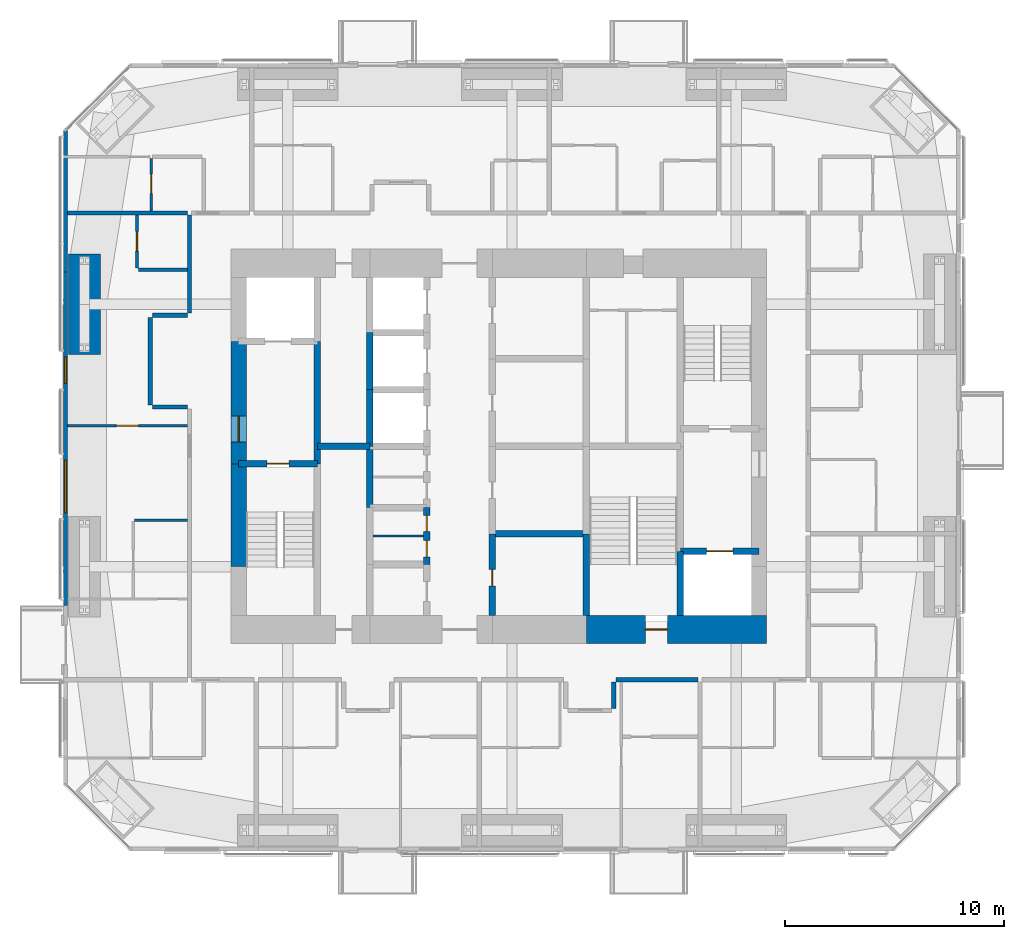
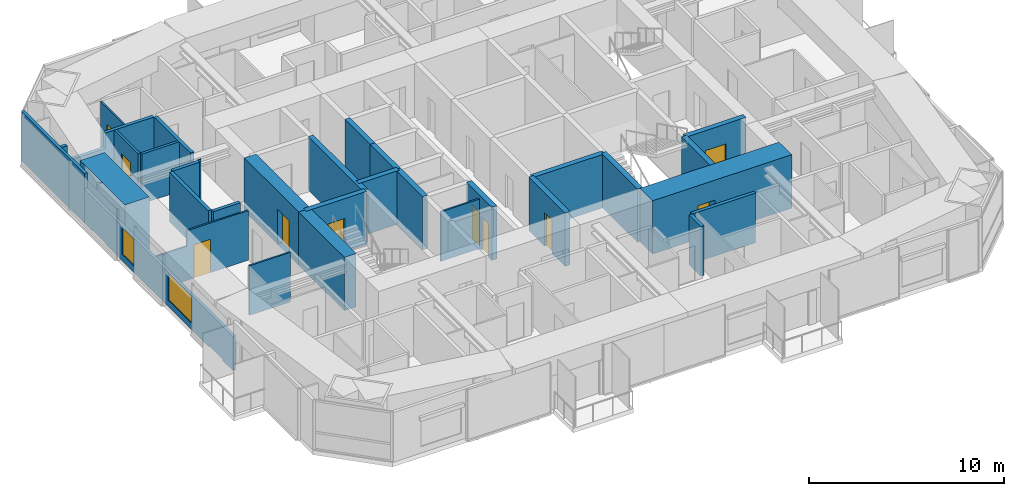
# One storey, part 17 of 22: 31 walls, 10 doors, 2 windows, 12 openings.
"""IFC4 building model written with IfcOpenShell, lengths in metres."""

from ifc_helpers import new_model, si_unit, direction, frame, frame_2d, origin, place, context, subcontext, project, spatial, polyline, rectangle, outline, extrude, material, layer, layer_set, constituent, constituent_set, type_object, element, fill, save


model = new_model("IFC4")

# Units and contexts
model_context = context("Model", 3, precision=1e-05, world=origin(), true_north=direction((0.0, 1.0)))
body_context = subcontext(model_context, "Body", "Model", "MODEL_VIEW")
ifc_project = project(units=[si_unit("LENGTHUNIT", "METRE"), si_unit("AREAUNIT", "SQUARE_METRE"), si_unit("VOLUMEUNIT", "CUBIC_METRE"), si_unit("PLANEANGLEUNIT", "RADIAN"), si_unit("MASSUNIT", "GRAM", prefix="KILO")], contexts=[model_context])

# Site, building, storey
site_placement = place(None, origin())
site = spatial("IfcSite", under=ifc_project, at=site_placement, CompositionType="ELEMENT")
building_placement = place(site_placement, origin())
building = spatial("IfcBuilding", under=site, at=building_placement, Name="Jalousie Tower", CompositionType="ELEMENT")
storey_placement = place(building_placement, frame((0.0, 0.0, 154.35009765625)))
storey = spatial("IfcBuildingStorey", under=building, at=storey_placement, Name="L41", CompositionType="ELEMENT", Elevation=154.35009765625)

# Wall, opening, door
ifc_material_1 = material(Name="Concrete block ASTM C90", Category="concrete")
ifc_constituent_1 = constituent(ifc_material_1, Name="Body")
ifc_material_2 = material(Name="Render")
ifc_constituent_2 = constituent(ifc_material_2, Name="Finish")
ifc_constituent_set_1 = constituent_set(constituents=[ifc_constituent_1, ifc_constituent_2])
wall_type_1 = type_object("IfcWallType", Name="BATHROOM WALL 150", PredefinedType="PLUMBINGWALL", material=ifc_constituent_set_1)
wall_1_placement = place(storey_placement, frame((15.35009765625, 26.64990234375, 0.0), z_axis=(0.0, 0.0, 1.0), x_axis=(0.0, 1.0, 0.0)))
wall_1 = element("IfcWall", 1, at=wall_1_placement, inside=storey, type_object=wall_type_1, Name="Bathroom Wall 150 L41", PredefinedType="PLUMBINGWALL", context=body_context, shape_type="SweptSolid", body=[
    extrude(rectangle(XDim=2.425048828125, YDim=0.14990234375, at=frame_2d((1.21240234375, 0.0))), origin(), (0.0, 0.0, 1.0), 3.10986328125),
])
opening_1_placement = place(wall_1_placement, frame((0.77490234375, 0.0, 0.0)))
opening_1 = element("IfcOpeningElement", 2, at=opening_1_placement, cuts=wall_1, Name="Opening D3", PredefinedType="OPENING", context=body_context, shape_type="SweptSolid", body=[
    extrude(rectangle(XDim=0.89990234375, YDim=2.10009765625, at=frame_2d((0.449951171875, 1.050048828125))), frame((0.0, 0.0849609375, 0.0), z_axis=(0.0, -1.0, 0.0), x_axis=(1.0, 0.0, 0.0)), (0.0, 0.0, 1.0), 0.169921875),
])
ifc_material_3 = material(Name="Timber door", Category="wood")
door_type_1 = type_object("IfcDoorType", Name="BATHROOM DOOR 900", OperationType="SINGLE_SWING_LEFT", PredefinedType="DOOR", material=ifc_material_3)
door_1_placement = place(opening_1_placement, frame((0.89990234375, 0.0, 0.0), z_axis=(0.0, 0.0, 1.0), x_axis=(-1.0, 0.0, 0.0)))
door_1 = element("IfcDoor", 3, at=door_1_placement, inside=storey, type_object=door_type_1, Name="Apartment 4109 bathroom door", OperationType="SINGLE_SWING_LEFT", OverallHeight=2.10009765625, OverallWidth=0.89990234375, PredefinedType="DOOR", context=body_context, shape_type="SweptSolid", body=[
    extrude(rectangle(XDim=0.89990234375, YDim=2.10009765625, at=frame_2d((0.449951171875, 1.050048828125))), frame((0.0, 0.02490234375, 0.0), z_axis=(0.0, -1.0, 0.0), x_axis=(1.0, 0.0, 0.0)), (0.0, 0.0, 1.0), 0.050048828125),
])
fill(opening_1, door_1)

# Wall
wall_2_placement = place(storey_placement, frame((15.425048828125, 26.574951171875, 0.0), z_axis=(0.0, 0.0, 1.0), x_axis=(1.0, 0.0, 0.0)))
element("IfcWall", 4, at=wall_2_placement, inside=storey, type_object=wall_type_1, Name="Bathroom Wall 150 L41", PredefinedType="PLUMBINGWALL", context=body_context, shape_type="SweptSolid", body=[
    extrude(rectangle(XDim=2.224853515625, YDim=0.14990234375, at=frame_2d((1.1123046875, 0.0))), origin(), (0.0, 0.0, 1.0), 3.10986328125),
])

# Wall, opening, door
ifc_material_4 = material(Name="Concrete f'c 120 MPa", Category="concrete")
ifc_layer_1 = layer(ifc_material_4, 1.300048828125)
ifc_layer_set_1 = layer_set([ifc_layer_1], Name="Concrete f'c 120 MPa")
wall_type_2 = type_object("IfcWallType", Name="CORE WALL 1300", PredefinedType="SHEAR", material=ifc_layer_set_1)
wall_3_placement = place(storey_placement, frame((35.89990234375, 10.125, 0.0), z_axis=(0.0, 0.0, 1.0), x_axis=(1.0, 0.0, 0.0)))
wall_3 = element("IfcWall", 5, at=wall_3_placement, inside=storey, type_object=wall_type_2, Name="Core wall SD L41", PredefinedType="SHEAR", context=body_context, shape_type="SweptSolid", body=[
    extrude(rectangle(XDim=8.25, YDim=1.300048828125, at=frame_2d((4.125, 0.0))), origin(), (0.0, 0.0, 1.0), 3.349853515625),
])
opening_2_placement = place(wall_3_placement, frame((2.699951171875, 0.0, 0.0)))
opening_2 = element("IfcOpeningElement", 6, at=opening_2_placement, cuts=wall_3, Name="Opening D10", PredefinedType="OPENING", context=body_context, shape_type="SweptSolid", body=[
    extrude(rectangle(XDim=1.0, YDim=2.10009765625, at=frame_2d((0.5, 1.050048828125))), frame((0.0, 0.659912109375, 0.0), z_axis=(0.0, -1.0, 0.0), x_axis=(1.0, 0.0, 0.0)), (0.0, 0.0, 1.0), 1.320068359375),
])
ifc_material_5 = material(Name="Steel fire door", Category="steel")
door_type_2 = type_object("IfcDoorType", Name="STAIR DOOR 1000", OperationType="SINGLE_SWING_LEFT", PredefinedType="DOOR", material=ifc_material_5)
door_2_placement = place(opening_2_placement, origin())
door_2 = element("IfcDoor", 7, at=door_2_placement, inside=storey, type_object=door_type_2, Name="Exit stair C door", OperationType="SINGLE_SWING_RIGHT", OverallHeight=2.10009765625, OverallWidth=1.0, PredefinedType="DOOR", context=body_context, shape_type="SweptSolid", body=[
    extrude(rectangle(XDim=1.0, YDim=2.10009765625, at=frame_2d((0.5, 1.050048828125))), frame((0.0, 0.02490234375, 0.0), z_axis=(0.0, -1.0, 0.0), x_axis=(1.0, 0.0, 0.0)), (0.0, 0.0, 1.0), 0.050048828125),
])
fill(opening_2, door_2)

# Walls
ifc_material_6 = material(Name="Concrete f'c 120 MPa", Category="concrete")
ifc_layer_2 = layer(ifc_material_6, 0.300048828125)
ifc_layer_set_2 = layer_set([ifc_layer_2], Name="Concrete f'c 120 MPa")
wall_type_3 = type_object("IfcWallType", Name="CORE WALL 300", PredefinedType="SHEAR", material=ifc_layer_set_2)
wall_4_placement = place(storey_placement, frame((23.60009765625, 17.699951171875, 0.0), z_axis=(0.0, 0.0, 1.0), x_axis=(0.0, 1.0, 0.0)))
element("IfcWall", 8, at=wall_4_placement, inside=storey, type_object=wall_type_3, Name="Core wall X23.6B L41", PredefinedType="SHEAR", context=body_context, shape_type="SweptSolid", body=[
    extrude(rectangle(XDim=5.60009765625, YDim=0.300048828125, at=frame_2d((2.800048828125, 0.0))), origin(), (0.0, 0.0, 1.0), 3.349853515625),
])
wall_5_placement = place(storey_placement, frame((26.0, 15.699951171875, 0.0), z_axis=(0.0, 0.0, 1.0), x_axis=(0.0, 1.0, 0.0)))
element("IfcWall", 9, at=wall_5_placement, inside=storey, type_object=wall_type_3, Name="Core wall X26C L41", PredefinedType="SHEAR", context=body_context, shape_type="SweptSolid", body=[
    extrude(rectangle(XDim=2.800048828125, YDim=0.300048828125, at=frame_2d((1.39990234375, 0.0))), origin(), (0.0, 0.0, 1.0), 3.349853515625),
])
wall_6_placement = place(storey_placement, frame((26.0, 18.5, 0.0), z_axis=(0.0, 0.0, 1.0), x_axis=(0.0, 1.0, 0.0)))
element("IfcWall", 10, at=wall_6_placement, inside=storey, type_object=wall_type_3, Name="Core wall X26D L41", PredefinedType="SHEAR", context=body_context, shape_type="SweptSolid", body=[
    extrude(rectangle(XDim=2.60009765625, YDim=0.300048828125, at=frame_2d((1.300048828125, 0.0))), origin(), (0.0, 0.0, 1.0), 3.349853515625),
])
wall_7_placement = place(storey_placement, frame((26.0, 21.10009765625, 0.0), z_axis=(0.0, 0.0, 1.0), x_axis=(0.0, 1.0, 0.0)))
element("IfcWall", 11, at=wall_7_placement, inside=storey, type_object=wall_type_3, Name="Core wall X26E L41", PredefinedType="SHEAR", context=body_context, shape_type="SweptSolid", body=[
    extrude(rectangle(XDim=2.599853515625, YDim=0.300048828125, at=frame_2d((1.2998046875, 0.0))), origin(), (0.0, 0.0, 1.0), 3.349853515625),
])

# Wall, openings, doors
wall_8_placement = place(storey_placement, frame((28.60009765625, 13.10009765625, 0.0), z_axis=(0.0, 0.0, 1.0), x_axis=(0.0, 1.0, 0.0)))
wall_8 = element("IfcWall", 12, at=wall_8_placement, inside=storey, type_object=wall_type_3, Name="Core wall X28.6B L41", PredefinedType="SHEAR", context=body_context, shape_type="SweptSolid", body=[
    extrude(rectangle(XDim=2.599853515625, YDim=0.300048828125, at=frame_2d((1.2998046875, 0.0))), origin(), (0.0, 0.0, 1.0), 3.349853515625),
])
opening_3_placement = place(wall_8_placement, frame((0.35009765625, 0.0, 0.0)))
opening_3 = element("IfcOpeningElement", 13, at=opening_3_placement, cuts=wall_8, Name="Opening D27", PredefinedType="OPENING", context=body_context, shape_type="SweptSolid", body=[
    extrude(rectangle(XDim=0.75, YDim=2.10009765625, at=frame_2d((0.375, 1.050048828125))), frame((0.0, 0.159912109375, 0.0), z_axis=(0.0, -1.0, 0.0), x_axis=(1.0, 0.0, 0.0)), (0.0, 0.0, 1.0), 0.320068359375),
])
opening_4_placement = place(wall_8_placement, frame((1.5, 0.0, 0.0)))
opening_4 = element("IfcOpeningElement", 14, at=opening_4_placement, cuts=wall_8, Name="Opening D27", PredefinedType="OPENING", context=body_context, shape_type="SweptSolid", body=[
    extrude(rectangle(XDim=0.75, YDim=2.10009765625, at=frame_2d((0.375, 1.050048828125))), frame((0.0, 0.159912109375, 0.0), z_axis=(0.0, -1.0, 0.0), x_axis=(1.0, 0.0, 0.0)), (0.0, 0.0, 1.0), 0.320068359375),
])
ifc_material_7 = material(Name="Steel fire door", Category="steel")
door_type_3 = type_object("IfcDoorType", Name="CORE ROOM DOOR 750", OperationType="SINGLE_SWING_LEFT", PredefinedType="DOOR", material=ifc_material_7)
door_3_placement = place(opening_3_placement, origin())
door_3 = element("IfcDoor", 15, at=door_3_placement, inside=storey, type_object=door_type_3, Name="IT room door", OperationType="SINGLE_SWING_RIGHT", OverallHeight=2.10009765625, OverallWidth=0.75, PredefinedType="DOOR", context=body_context, shape_type="SweptSolid", body=[
    extrude(rectangle(XDim=0.75, YDim=2.10009765625, at=frame_2d((0.375, 1.050048828125))), frame((0.0, 0.02490234375, 0.0), z_axis=(0.0, -1.0, 0.0), x_axis=(1.0, 0.0, 0.0)), (0.0, 0.0, 1.0), 0.050048828125),
])
fill(opening_3, door_3)
door_4_placement = place(opening_4_placement, origin())
door_4 = element("IfcDoor", 16, at=door_4_placement, inside=storey, type_object=door_type_3, Name="Store door", OperationType="SINGLE_SWING_LEFT", OverallHeight=2.10009765625, OverallWidth=0.75, PredefinedType="DOOR", context=body_context, shape_type="SweptSolid", body=[
    extrude(rectangle(XDim=0.75, YDim=2.10009765625, at=frame_2d((0.375, 1.050048828125))), frame((0.0, 0.02490234375, 0.0), z_axis=(0.0, -1.0, 0.0), x_axis=(1.0, 0.0, 0.0)), (0.0, 0.0, 1.0), 0.050048828125),
])
fill(opening_4, door_4)

# Wall, opening, door
wall_9_placement = place(storey_placement, frame((31.60009765625, 10.77490234375, 0.0), z_axis=(0.0, 0.0, 1.0), x_axis=(0.0, 1.0, 0.0)))
wall_9 = element("IfcWall", 17, at=wall_9_placement, inside=storey, type_object=wall_type_3, Name="Core wall X31.6A L41", PredefinedType="SHEAR", context=body_context, shape_type="SweptSolid", body=[
    extrude(rectangle(XDim=3.72509765625, YDim=0.300048828125, at=frame_2d((1.862548828125, 0.0))), origin(), (0.0, 0.0, 1.0), 3.349853515625),
])
opening_5_placement = place(wall_9_placement, frame((1.35009765625, 0.0, 0.0)))
opening_5 = element("IfcOpeningElement", 18, at=opening_5_placement, cuts=wall_9, Name="Opening D16", PredefinedType="OPENING", context=body_context, shape_type="SweptSolid", body=[
    extrude(rectangle(XDim=0.75, YDim=2.10009765625, at=frame_2d((0.375, 1.050048828125))), frame((0.0, 0.159912109375, 0.0), z_axis=(0.0, -1.0, 0.0), x_axis=(1.0, 0.0, 0.0)), (0.0, 0.0, 1.0), 0.320068359375),
])
ifc_material_8 = material(Name="Steel fire door", Category="steel")
door_type_4 = type_object("IfcDoorType", Name="RISER DOOR 750", OperationType="SINGLE_SWING_LEFT", PredefinedType="DOOR", material=ifc_material_8)
door_5_placement = place(opening_5_placement, frame((0.75, 0.0, 0.0), z_axis=(0.0, 0.0, 1.0), x_axis=(-1.0, 0.0, 0.0)))
door_5 = element("IfcDoor", 19, at=door_5_placement, inside=storey, type_object=door_type_4, Name="Refuse Room door", OperationType="SINGLE_SWING_RIGHT", OverallHeight=2.10009765625, OverallWidth=0.75, PredefinedType="DOOR", context=body_context, shape_type="SweptSolid", body=[
    extrude(rectangle(XDim=0.75, YDim=2.10009765625, at=frame_2d((0.375, 1.050048828125))), frame((0.0, 0.02490234375, 0.0), z_axis=(0.0, -1.0, 0.0), x_axis=(1.0, 0.0, 0.0)), (0.0, 0.0, 1.0), 0.050048828125),
])
fill(opening_5, door_5)

# Walls
wall_10_placement = place(storey_placement, frame((35.89990234375, 10.77490234375, 0.0), z_axis=(0.0, 0.0, 1.0), x_axis=(0.0, 1.0, 0.0)))
element("IfcWall", 20, at=wall_10_placement, inside=storey, type_object=wall_type_3, Name="Core wall X35.9A L41", PredefinedType="SHEAR", context=body_context, shape_type="SweptSolid", body=[
    extrude(rectangle(XDim=3.72509765625, YDim=0.300048828125, at=frame_2d((1.862548828125, 0.0))), origin(), (0.0, 0.0, 1.0), 3.349853515625),
])
wall_11_placement = place(storey_placement, frame((40.199951171875, 10.77490234375, 0.0), z_axis=(0.0, 0.0, 1.0), x_axis=(0.0, 1.0, 0.0)))
element("IfcWall", 21, at=wall_11_placement, inside=storey, type_object=wall_type_3, Name="Core wall X40.2A L41", PredefinedType="SHEAR", context=body_context, shape_type="SweptSolid", body=[
    extrude(rectangle(XDim=2.925048828125, YDim=0.300048828125, at=frame_2d((1.46240234375, 0.0))), origin(), (0.0, 0.0, 1.0), 3.349853515625),
])

# Wall, opening, door
wall_12_placement = place(storey_placement, frame((20.0, 17.699951171875, 0.0), z_axis=(0.0, 0.0, 1.0), x_axis=(1.0, 0.0, 0.0)))
wall_12 = element("IfcWall", 22, at=wall_12_placement, inside=storey, type_object=wall_type_3, Name="Core wall Y20-17.7 L41", PredefinedType="SHEAR", context=body_context, shape_type="SweptSolid", body=[
    extrude(rectangle(XDim=3.60009765625, YDim=0.300048828125, at=frame_2d((1.800048828125, 0.0))), origin(), (0.0, 0.0, 1.0), 3.349853515625),
])
opening_6_placement = place(wall_12_placement, frame((1.300048828125, 0.0, 0.0)))
opening_6 = element("IfcOpeningElement", 23, at=opening_6_placement, cuts=wall_12, Name="Opening D10", PredefinedType="OPENING", context=body_context, shape_type="SweptSolid", body=[
    extrude(rectangle(XDim=1.0, YDim=2.10009765625, at=frame_2d((0.5, 1.050048828125))), frame((0.0, 0.159912109375, 0.0), z_axis=(0.0, -1.0, 0.0), x_axis=(1.0, 0.0, 0.0)), (0.0, 0.0, 1.0), 0.320068359375),
])
door_6_placement = place(opening_6_placement, frame((1.0, 0.0, 0.0), z_axis=(0.0, 0.0, 1.0), x_axis=(-1.0, 0.0, 0.0)))
door_6 = element("IfcDoor", 24, at=door_6_placement, inside=storey, type_object=door_type_2, Name="Exit stair A door", OperationType="SINGLE_SWING_RIGHT", OverallHeight=2.10009765625, OverallWidth=1.0, PredefinedType="DOOR", context=body_context, shape_type="SweptSolid", body=[
    extrude(rectangle(XDim=1.0, YDim=2.10009765625, at=frame_2d((0.5, 1.050048828125))), frame((0.0, 0.02490234375, 0.0), z_axis=(0.0, -1.0, 0.0), x_axis=(1.0, 0.0, 0.0)), (0.0, 0.0, 1.0), 0.050048828125),
])
fill(opening_6, door_6)

# Walls
wall_13_placement = place(storey_placement, frame((23.60009765625, 18.5, 0.0), z_axis=(0.0, 0.0, 1.0), x_axis=(1.0, 0.0, 0.0)))
element("IfcWall", 25, at=wall_13_placement, inside=storey, type_object=wall_type_3, Name="Core wall Y23.6-18.5 L41", PredefinedType="SHEAR", context=body_context, shape_type="SweptSolid", body=[
    extrude(rectangle(XDim=2.39990234375, YDim=0.300048828125, at=frame_2d((1.199951171875, 0.0))), origin(), (0.0, 0.0, 1.0), 3.349853515625),
])
wall_14_placement = place(storey_placement, frame((31.60009765625, 14.5, 0.0), z_axis=(0.0, 0.0, 1.0), x_axis=(1.0, 0.0, 0.0)))
element("IfcWall", 26, at=wall_14_placement, inside=storey, type_object=wall_type_3, Name="Core wall Y31.6-14.5 L41", PredefinedType="SHEAR", context=body_context, shape_type="SweptSolid", body=[
    extrude(rectangle(XDim=4.2998046875, YDim=0.300048828125, at=frame_2d((2.14990234375, 0.0))), origin(), (0.0, 0.0, 1.0), 3.349853515625),
])

# Wall, opening, door
wall_15_placement = place(storey_placement, frame((40.199951171875, 13.699951171875, 0.0), z_axis=(0.0, 0.0, 1.0), x_axis=(1.0, 0.0, 0.0)))
wall_15 = element("IfcWall", 27, at=wall_15_placement, inside=storey, type_object=wall_type_3, Name="Core wall Y40.2-13.7 L41", PredefinedType="SHEAR", context=body_context, shape_type="SweptSolid", body=[
    extrude(rectangle(XDim=3.60009765625, YDim=0.300048828125, at=frame_2d((1.800048828125, 0.0))), origin(), (0.0, 0.0, 1.0), 3.349853515625),
])
opening_7_placement = place(wall_15_placement, frame((1.199951171875, 0.0, 0.0)))
opening_7 = element("IfcOpeningElement", 28, at=opening_7_placement, cuts=wall_15, Name="Opening LD2", PredefinedType="OPENING", context=body_context, shape_type="SweptSolid", body=[
    extrude(rectangle(XDim=1.199951171875, YDim=2.10009765625, at=frame_2d((0.60009765625, 1.050048828125))), frame((0.0, 0.159912109375, 0.0), z_axis=(0.0, -1.0, 0.0), x_axis=(1.0, 0.0, 0.0)), (0.0, 0.0, 1.0), 0.320068359375),
])
ifc_material_9 = material(Name="Steel lift landing door", Category="steel")
door_type_5 = type_object("IfcDoorType", Name="LIFT LANDING DOOR 1200", OperationType="SLIDING_TO_LEFT", PredefinedType="DOOR", material=ifc_material_9)
door_7_placement = place(opening_7_placement, origin())
door_7 = element("IfcDoor", 29, at=door_7_placement, inside=storey, type_object=door_type_5, Name="Lift F2 landing door", OperationType="SLIDING_TO_LEFT", OverallHeight=2.10009765625, OverallWidth=1.199951171875, PredefinedType="DOOR", context=body_context, shape_type="SweptSolid", body=[
    extrude(rectangle(XDim=1.199951171875, YDim=2.10009765625, at=frame_2d((0.60009765625, 1.050048828125))), frame((0.0, 0.02490234375, 0.0), z_axis=(0.0, -1.0, 0.0), x_axis=(1.0, 0.0, 0.0)), (0.0, 0.0, 1.0), 0.050048828125),
])
fill(opening_7, door_7)

ifc_material_10 = material(Name="Concrete f'c 120 MPa", Category="concrete")
ifc_layer_3 = layer(ifc_material_10, 0.699951171875)
ifc_layer_set_3 = layer_set([ifc_layer_3], Name="Concrete f'c 120 MPa")
wall_type_4 = type_object("IfcWallType", Name="CORE WALL 700", PredefinedType="SHEAR", material=ifc_layer_set_3)
wall_16_placement = place(storey_placement, frame((20.0, 23.300048828125, 0.0), z_axis=(0.0, 0.0, 1.0), x_axis=(0.0, -1.0, 0.0)))
wall_16 = element("IfcWall", 30, at=wall_16_placement, inside=storey, type_object=wall_type_4, Name="Core wall WB L41", PredefinedType="SHEAR", context=body_context, shape_type="SweptSolid", body=[
    extrude(rectangle(XDim=5.60009765625, YDim=0.699951171875, at=frame_2d((2.800048828125, 0.0))), origin(), (0.0, 0.0, 1.0), 3.349853515625),
])
opening_8_placement = place(wall_16_placement, frame((3.39990234375, 0.0, 0.0)))
opening_8 = element("IfcOpeningElement", 31, at=opening_8_placement, cuts=wall_16, Name="Opening D11", PredefinedType="OPENING", context=body_context, shape_type="SweptSolid", body=[
    extrude(rectangle(XDim=1.199951171875, YDim=2.199951171875, at=frame_2d((0.60009765625, 1.10009765625))), frame((0.0, 0.35986328125, 0.0), z_axis=(0.0, -1.0, 0.0), x_axis=(1.0, 0.0, 0.0)), (0.0, 0.0, 1.0), 0.719970703125),
])
ifc_material_11 = material(Name="Steel fire door", Category="steel")
door_type_6 = type_object("IfcDoorType", Name="FIRE DOOR 1200", OperationType="SINGLE_SWING_LEFT", PredefinedType="DOOR", material=ifc_material_11)
door_8_placement = place(opening_8_placement, origin())
door_8 = element("IfcDoor", 32, at=door_8_placement, inside=storey, type_object=door_type_6, Name="Fire-fighting lobby A door", OperationType="SINGLE_SWING_RIGHT", OverallHeight=2.199951171875, OverallWidth=1.199951171875, PredefinedType="DOOR", context=body_context, shape_type="SweptSolid", body=[
    extrude(rectangle(XDim=1.199951171875, YDim=2.199951171875, at=frame_2d((0.60009765625, 1.10009765625))), frame((0.0, 0.02490234375, 0.0), z_axis=(0.0, -1.0, 0.0), x_axis=(1.0, 0.0, 0.0)), (0.0, 0.0, 1.0), 0.050048828125),
])
fill(opening_8, door_8)

# Walls
wall_17_placement = place(storey_placement, frame((20.0, 17.699951171875, 0.0), z_axis=(0.0, 0.0, 1.0), x_axis=(0.0, -1.0, 0.0)))
element("IfcWall", 33, at=wall_17_placement, inside=storey, type_object=wall_type_4, Name="Core wall WC L41", PredefinedType="SHEAR", context=body_context, shape_type="SweptSolid", body=[
    extrude(rectangle(XDim=4.699951171875, YDim=0.699951171875, at=frame_2d((2.35009765625, 0.0))), origin(), (0.0, 0.0, 1.0), 3.349853515625),
])
ifc_material_12 = material(Name="Concrete block ASTM C90", Category="concrete")
ifc_constituent_3 = constituent(ifc_material_12, Name="Body")
ifc_material_13 = material(Name="Render")
ifc_constituent_4 = constituent(ifc_material_13, Name="Finish")
ifc_constituent_set_2 = constituent_set(constituents=[ifc_constituent_3, ifc_constituent_4])
wall_type_5 = type_object("IfcWallType", Name="CORRIDOR WALL 200", PredefinedType="PARTITIONING", material=ifc_constituent_set_2)
wall_18_placement = place(storey_placement, frame((37.25, 7.824951171875, 0.0), z_axis=(0.0, 0.0, 1.0), x_axis=(1.0, 0.0, 0.0)))
element("IfcWall", 34, at=wall_18_placement, inside=storey, type_object=wall_type_5, Name="Corridor Wall 200 L41", PredefinedType="PARTITIONING", context=body_context, shape_type="SweptSolid", body=[
    extrude(rectangle(XDim=3.75, YDim=0.199951171875, at=frame_2d((1.875, 0.0))), origin(), (0.0, 0.0, 1.0), 3.10986328125),
])
wall_19_placement = place(storey_placement, frame((37.14990234375, 7.72509765625, 0.0), z_axis=(0.0, 0.0, 1.0), x_axis=(0.0, -1.0, 0.0)))
element("IfcWall", 35, at=wall_19_placement, inside=storey, type_object=wall_type_5, Name="Corridor Wall 200 L41", PredefinedType="PARTITIONING", context=body_context, shape_type="SweptSolid", body=[
    extrude(rectangle(XDim=1.2001953125, YDim=0.199951171875, at=frame_2d((0.60009765625, 0.0))), origin(), (0.0, 0.0, 1.0), 3.10986328125),
])
wall_20_placement = place(storey_placement, frame((17.75, 24.60009765625, 0.0), z_axis=(0.0, 0.0, 1.0), x_axis=(0.0, 1.0, 0.0)))
element("IfcWall", 36, at=wall_20_placement, inside=storey, type_object=wall_type_5, Name="Corridor Wall 200 L41", PredefinedType="PARTITIONING", context=body_context, shape_type="SweptSolid", body=[
    extrude(outline(polyline([(0.0, 0.0), (4.474853515625, 0.0), (4.47509765625, 3.10986328125), (0.74609375, 3.10986328125), (0.74609375, 2.531005859375), (0.0537109375, 2.531005859375), (0.0537109375, 3.10986328125), (0.0, 3.10986328125), (0.0, 0.0)])), frame((0.0, 0.10009765625, 0.0), z_axis=(0.0, -1.0, 0.0), x_axis=(1.0, 0.0, 0.0)), (0.0, 0.0, 1.0), 0.199951171875),
])
wall_21_placement = place(storey_placement, frame((15.949951171875, 20.39990234375, 0.0), z_axis=(0.0, 0.0, 1.0), x_axis=(0.0, 1.0, 0.0)))
element("IfcWall", 37, at=wall_21_placement, inside=storey, type_object=wall_type_5, Name="Corridor Wall 200 L41", PredefinedType="PARTITIONING", context=body_context, shape_type="SweptSolid", body=[
    extrude(rectangle(XDim=4.0, YDim=0.199951171875, at=frame_2d((2.0, 0.0))), origin(), (0.0, 0.0, 1.0), 3.10986328125),
])
for number, where, z_axis, x_axis, name in (
    (38, (17.64990234375, 20.300048828125, 0.0), (0.0, 0.0, 1.0), (-1.0, 0.0, 0.0), "Corridor Wall 200 L41"),
    (39, (17.64990234375, 24.5, 0.0), (0.0, 0.0, 1.0), (-1.0, 0.0, 0.0), "Corridor Wall 200 L41"),
):
    element("IfcWall", number, at=place(storey_placement, frame(where, z_axis=z_axis, x_axis=x_axis)), inside=storey, type_object=wall_type_5, Name=name, PredefinedType="PARTITIONING", context=body_context, shape_type="SweptSolid", body=[
        extrude(rectangle(XDim=1.599853515625, YDim=0.199951171875, at=frame_2d((0.7998046875, 0.0))), origin(), (0.0, 0.0, 1.0), 3.10986328125),
    ])
ifc_material_14 = material(Name="Concrete f'c 40 MPa", Category="concrete")
ifc_constituent_5 = constituent(ifc_material_14, Name="Body")
ifc_material_15 = material(Name="Render, pastel lemon")
ifc_constituent_6 = constituent(ifc_material_15, Name="Finish")
ifc_constituent_set_3 = constituent_set(constituents=[ifc_constituent_5, ifc_constituent_6])
wall_type_6 = type_object("IfcWallType", Name="EXTERNAL WALL 175 LEMON RENDER", PredefinedType="SOLIDWALL", material=ifc_constituent_set_3)
wall_22_placement = place(storey_placement, frame((12.08740234375, 32.94873046875, 0.0), z_axis=(0.0, 0.0, 1.0), x_axis=(0.0, -1.0, 0.0)))
element("IfcWall", 40, at=wall_22_placement, inside=storey, type_object=wall_type_6, Name="External Wall 175 Lemon Render L41-A", PredefinedType="SOLIDWALL", context=body_context, shape_type="SweptSolid", body=[
    extrude(rectangle(XDim=6.4765625, YDim=0.175048828125, at=frame_2d((3.23828125, 0.0))), origin(), (0.0, 0.0, 1.0), 3.10986328125),
])

# Wall, openings, windows
wall_23_placement = place(storey_placement, frame((12.08740234375, 26.47216796875, 0.0), z_axis=(0.0, 0.0, 1.0), x_axis=(0.0, -1.0, 0.0)))
wall_23 = element("IfcWall", 41, at=wall_23_placement, inside=storey, type_object=wall_type_6, Name="External Wall 175 Lemon Render L41-B", PredefinedType="SOLIDWALL", context=body_context, shape_type="SweptSolid", body=[
    extrude(outline(polyline([(15.251220703125, 2.14990234375), (0.0, 2.14990234375), (0.0, 0.0), (0.76220703125, 0.0), (0.76220703125, 0.078857421875), (2.18212890625, 0.078857421875), (2.18212890625, 0.0), (12.76220703125, 0.0), (12.76220703125, 0.078857421875), (14.18212890625, 0.078857421875), (14.18212890625, 0.0), (15.251220703125, 0.0), (15.251220703125, 2.14990234375)])), frame((0.0, 0.08740234375, 0.0), z_axis=(0.0, -1.0, 0.0), x_axis=(1.0, 0.0, 0.0)), (0.0, 0.0, 1.0), 0.175048828125),
])
opening_9_placement = place(wall_23_placement, frame((3.890380859375, 0.0, 0.39990234375)))
opening_9 = element("IfcOpeningElement", 42, at=opening_9_placement, cuts=wall_23, Name="Opening W-COR170", PredefinedType="OPENING", context=body_context, shape_type="SweptSolid", body=[
    extrude(rectangle(XDim=1.199951171875, YDim=1.699951171875, at=frame_2d((0.60009765625, 0.85009765625))), frame((0.0, 0.097412109375, 0.0), z_axis=(0.0, -1.0, 0.0), x_axis=(1.0, 0.0, 0.0)), (0.0, 0.0, 1.0), 0.195068359375),
])
opening_10_placement = place(wall_23_placement, frame((8.606201171875, 0.0, 0.39990234375)))
opening_10 = element("IfcOpeningElement", 43, at=opening_10_placement, cuts=wall_23, Name="Opening W-LIV170", PredefinedType="OPENING", context=body_context, shape_type="SweptSolid", body=[
    extrude(rectangle(XDim=2.39990234375, YDim=1.699951171875, at=frame_2d((1.199951171875, 0.85009765625))), frame((0.0, 0.097412109375, 0.0), z_axis=(0.0, -1.0, 0.0), x_axis=(1.0, 0.0, 0.0)), (0.0, 0.0, 1.0), 0.195068359375),
])
ifc_material_16 = material(Name="Aluminium frame, impact-rated glazing", Category="aluminium")
window_type_1 = type_object("IfcWindowType", Name="WINDOW COR 1200x1700", PartitioningType="SINGLE_PANEL", PredefinedType="WINDOW", material=ifc_material_16)
window_1_placement = place(opening_9_placement, origin())
window_1 = element("IfcWindow", 44, at=window_1_placement, inside=storey, type_object=window_type_1, Name="Apartment 4109 dining room window", OverallHeight=1.699951171875, OverallWidth=1.199951171875, PartitioningType="SINGLE_PANEL", PredefinedType="WINDOW", context=body_context, shape_type="SweptSolid", body=[
    extrude(rectangle(XDim=1.199951171875, YDim=1.699951171875, at=frame_2d((0.60009765625, 0.85009765625))), frame((0.0, 0.030029296875, 0.0), z_axis=(0.0, -1.0, 0.0), x_axis=(1.0, 0.0, 0.0)), (0.0, 0.0, 1.0), 0.06005859375),
])
fill(opening_9, window_1)
ifc_material_17 = material(Name="Aluminium frame, impact-rated glazing", Category="aluminium")
window_type_2 = type_object("IfcWindowType", Name="WINDOW LIV 2400x1700", PartitioningType="DOUBLE_PANEL_VERTICAL", PredefinedType="WINDOW", material=ifc_material_17)
window_2_placement = place(opening_10_placement, origin())
window_2 = element("IfcWindow", 45, at=window_2_placement, inside=storey, type_object=window_type_2, Name="Apartment 4109 living room window", OverallHeight=1.699951171875, OverallWidth=2.39990234375, PartitioningType="SINGLE_PANEL", PredefinedType="WINDOW", context=body_context, shape_type="SweptSolid", body=[
    extrude(rectangle(XDim=2.39990234375, YDim=1.699951171875, at=frame_2d((1.199951171875, 0.85009765625))), frame((0.0, 0.030029296875, 0.0), z_axis=(0.0, -1.0, 0.0), x_axis=(1.0, 0.0, 0.0)), (0.0, 0.0, 1.0), 0.06005859375),
])
fill(opening_10, window_2)

# Wall, opening, door
ifc_material_18 = material(Name="Gypsum board", Category="gypsum")
ifc_constituent_7 = constituent(ifc_material_18, Name="Body")
ifc_material_19 = material(Name="Light-gauge steel studs ASTM A653 SS Grade 33", Category="steel")
ifc_constituent_8 = constituent(ifc_material_19, Name="Framing")
ifc_constituent_set_4 = constituent_set(constituents=[ifc_constituent_7, ifc_constituent_8])
wall_type_7 = type_object("IfcWallType", Name="PARTITION 100", PredefinedType="PARTITIONING", material=ifc_constituent_set_4)
wall_24_placement = place(storey_placement, frame((16.0, 31.67333984375, 0.0), z_axis=(0.0, 0.0, 1.0), x_axis=(0.0, -1.0, 0.0)))
wall_24 = element("IfcWall", 46, at=wall_24_placement, inside=storey, type_object=wall_type_7, Name="Partition 100 L41", PredefinedType="PARTITIONING", context=body_context, shape_type="SweptSolid", body=[
    extrude(rectangle(XDim=2.3984375, YDim=0.10009765625, at=frame_2d((1.19921875, 0.0))), origin(), (0.0, 0.0, 1.0), 3.10986328125),
])
opening_11_placement = place(wall_24_placement, frame((0.711669921875, 0.0, 0.0)))
opening_11 = element("IfcOpeningElement", 47, at=opening_11_placement, cuts=wall_24, Name="Opening D3", PredefinedType="OPENING", context=body_context, shape_type="SweptSolid", body=[
    extrude(rectangle(XDim=0.89990234375, YDim=2.10009765625, at=frame_2d((0.449951171875, 1.050048828125))), frame((0.0, 0.06005859375, 0.0), z_axis=(0.0, -1.0, 0.0), x_axis=(1.0, 0.0, 0.0)), (0.0, 0.0, 1.0), 0.1201171875),
])
door_9_placement = place(opening_11_placement, origin())
door_9 = element("IfcDoor", 48, at=door_9_placement, inside=storey, type_object=door_type_1, Name="Apartment 4105 bedroom 1 bathroom door", OperationType="SINGLE_SWING_LEFT", OverallHeight=2.10009765625, OverallWidth=0.89990234375, PredefinedType="DOOR", context=body_context, shape_type="SweptSolid", body=[
    extrude(rectangle(XDim=0.89990234375, YDim=2.10009765625, at=frame_2d((0.449951171875, 1.050048828125))), frame((0.0, 0.02490234375, 0.0), z_axis=(0.0, -1.0, 0.0), x_axis=(1.0, 0.0, 0.0)), (0.0, 0.0, 1.0), 0.050048828125),
])
fill(opening_11, door_9)

# Wall
wall_25_placement = place(storey_placement, frame((15.22509765625, 15.125, 0.0), z_axis=(0.0, 0.0, 1.0), x_axis=(1.0, 0.0, 0.0)))
element("IfcWall", 49, at=wall_25_placement, inside=storey, type_object=wall_type_7, Name="Partition 100 L41", PredefinedType="PARTITIONING", context=body_context, shape_type="SweptSolid", body=[
    extrude(rectangle(XDim=2.4248046875, YDim=0.10009765625, at=frame_2d((1.21240234375, 0.0))), origin(), (0.0, 0.0, 1.0), 3.10986328125),
])

# Wall, opening, door
wall_26_placement = place(storey_placement, frame((12.175048828125, 19.4462890625, 0.0), z_axis=(0.0, 0.0, 1.0), x_axis=(1.0, 0.0, 0.0)))
wall_26 = element("IfcWall", 50, at=wall_26_placement, inside=storey, type_object=wall_type_7, Name="Partition 100 L41", PredefinedType="PARTITIONING", context=body_context, shape_type="SweptSolid", body=[
    extrude(outline(polyline([(0.0, 0.0), (5.474853515625, 0.0), (5.47509765625, 3.10986328125), (1.8349609375, 3.10986328125), (1.8349609375, 2.14990234375), (0.0, 2.14990234375), (0.0, 3.10986328125), (0.0, 0.0)])), frame((0.0, 0.050048828125, 0.0), z_axis=(0.0, -1.0, 0.0), x_axis=(1.0, 0.0, 0.0)), (0.0, 0.0, 1.0), 0.10009765625),
])
opening_12_placement = place(wall_26_placement, frame((2.237548828125, 0.0, 0.0)))
opening_12 = element("IfcOpeningElement", 51, at=opening_12_placement, cuts=wall_26, Name="Opening D6", PredefinedType="OPENING", context=body_context, shape_type="SweptSolid", body=[
    extrude(rectangle(XDim=1.0, YDim=2.10009765625, at=frame_2d((0.5, 1.050048828125))), frame((0.0, 0.06005859375, 0.0), z_axis=(0.0, -1.0, 0.0), x_axis=(1.0, 0.0, 0.0)), (0.0, 0.0, 1.0), 0.1201171875),
])
ifc_material_20 = material(Name="Timber door", Category="wood")
door_type_7 = type_object("IfcDoorType", Name="INTERNAL DOOR 1000", OperationType="SINGLE_SWING_LEFT", PredefinedType="DOOR", material=ifc_material_20)
door_10_placement = place(opening_12_placement, origin())
door_10 = element("IfcDoor", 52, at=door_10_placement, inside=storey, type_object=door_type_7, Name="Apartment 4109 dining room door", OperationType="SINGLE_SWING_RIGHT", OverallHeight=2.10009765625, OverallWidth=1.0, PredefinedType="DOOR", context=body_context, shape_type="SweptSolid", body=[
    extrude(rectangle(XDim=1.0, YDim=2.10009765625, at=frame_2d((0.5, 1.050048828125))), frame((0.0, 0.02490234375, 0.0), z_axis=(0.0, -1.0, 0.0), x_axis=(1.0, 0.0, 0.0)), (0.0, 0.0, 1.0), 0.050048828125),
])
fill(opening_12, door_10)

# Walls
wall_27_placement = place(storey_placement, frame((26.14990234375, 14.39990234375, 0.0), z_axis=(0.0, 0.0, 1.0), x_axis=(1.0, 0.0, 0.0)))
element("IfcWall", 53, at=wall_27_placement, inside=storey, type_object=wall_type_7, Name="Partition 100 L41", PredefinedType="PARTITIONING", context=body_context, shape_type="SweptSolid", body=[
    extrude(rectangle(XDim=2.300048828125, YDim=0.10009765625, at=frame_2d((1.14990234375, 0.0))), origin(), (0.0, 0.0, 1.0), 3.10986328125),
])
ifc_material_21 = material(Name="Concrete block ASTM C90", Category="concrete")
ifc_constituent_9 = constituent(ifc_material_21, Name="Body")
ifc_material_22 = material(Name="Render")
ifc_constituent_10 = constituent(ifc_material_22, Name="Finish")
ifc_constituent_set_5 = constituent_set(constituents=[ifc_constituent_9, ifc_constituent_10])
wall_type_8 = type_object("IfcWallType", Name="PARTY WALL 200", PredefinedType="PARTITIONING", material=ifc_constituent_set_5)
wall_28_placement = place(storey_placement, frame((12.0, 29.175048828125, 0.0), z_axis=(0.0, 0.0, 1.0), x_axis=(1.0, 0.0, 0.0)))
element("IfcWall", 54, at=wall_28_placement, inside=storey, type_object=wall_type_8, Name="Party Wall 200 L41", PredefinedType="PARTITIONING", context=body_context, shape_type="SweptSolid", body=[
    extrude(outline(polyline([(0.0, 0.0), (5.64990234375, 0.0), (5.64990234375, 3.10986328125), (2.749267578125, 3.10986328125), (2.749267578125, 2.14990234375), (0.50048828125, 2.14990234375), (0.50048828125, 3.10986328125), (0.0, 3.10986328125), (0.0, 0.0)])), frame((0.0, 0.10009765625, 0.0), z_axis=(0.0, -1.0, 0.0), x_axis=(1.0, 0.0, 0.0)), (0.0, 0.0, 1.0), 0.199951171875),
])
ifc_material_23 = material(Name="Concrete f'c 120 MPa", Category="concrete")
ifc_layer_4 = layer(ifc_material_23, 1.449951171875)
ifc_layer_set_4 = layer_set([ifc_layer_4], Name="Concrete f'c 120 MPa")
wall_type_9 = type_object("IfcWallType", Name="RC WALL PIER 1450", PredefinedType="SHEAR", material=ifc_layer_set_4)
wall_29_placement = place(storey_placement, frame((12.949951171875, 22.699951171875, 0.0), z_axis=(0.0, 0.0, 1.0), x_axis=(0.0, 1.0, 0.0)))
element("IfcWall", 55, at=wall_29_placement, inside=storey, type_object=wall_type_9, Name="Wall pier 13 L41", PredefinedType="SHEAR", context=body_context, shape_type="SweptSolid", body=[
    extrude(rectangle(XDim=4.60009765625, YDim=1.449951171875, at=frame_2d((2.300048828125, 0.0))), origin(), (0.0, 0.0, 1.0), 3.349853515625),
])

save(model, "model.ifc")
